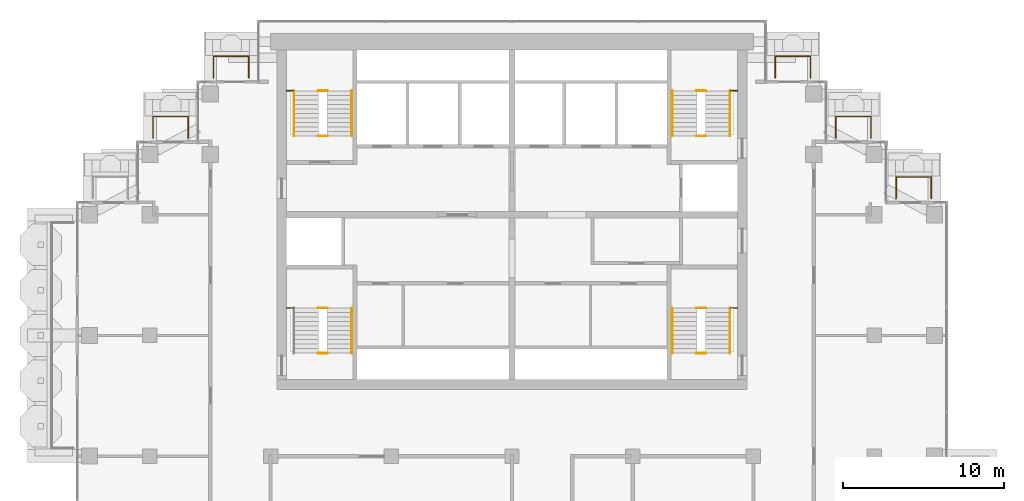
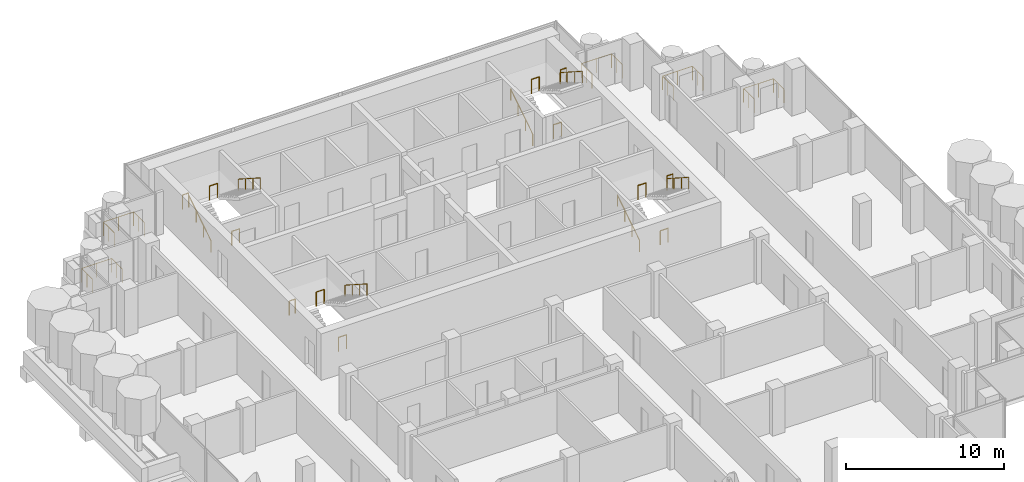
# One storey, part 17 of 18: 24 railings.
"""IFC4 building model written with IfcOpenShell, lengths in metres."""

import ifcopenshell
import ifcopenshell.guid

model = None  # the IFC model being written
_history = None  # IfcOwnerHistory: only IFC2X3 demands one
_inside = {}  # id of a spatial element -> (the spatial element, [elements in it])
_under = {}  # id of a project, library or spatial element -> (it, [spatial elements below it])
_declared = {}  # id of a project -> (the project, [libraries it declares])
_typed = {}  # id of a type object -> (the type object, [elements of that type])
_made_of = {}  # id of a material, layer set ... -> (it, [elements and type objects made of it])


def new_model(schema):
    """Start an empty IFC model of exactly this schema.

    Asked for "IFC4X3", IfcOpenShell would pick the latest addendum, in which some entities
    have other attributes; the version numbers below select the first issue.
    IFC2X3 requires an IfcOwnerHistory on every rooted entity: one is made here for all.
    """
    global model, _history
    if schema == "IFC4X3":
        model = ifcopenshell.file(schema_version=(4, 3, 0, 0))
    else:
        model = ifcopenshell.file(schema=schema)
    _inside.clear()
    _under.clear()
    _declared.clear()
    _typed.clear()
    _made_of.clear()
    _history = None
    if model.schema == "IFC2X3":
        org = make("IfcOrganization", Name="unknown")
        user = make(
            "IfcPersonAndOrganization",
            ThePerson=make("IfcPerson", FamilyName="unknown"),
            TheOrganization=org,
        )
        app = make(
            "IfcApplication",
            ApplicationDeveloper=org,
            Version="unknown",
            ApplicationFullName="unknown",
            ApplicationIdentifier="unknown",
        )
        _history = make(
            "IfcOwnerHistory",
            OwningUser=user,
            OwningApplication=app,
            ChangeAction="ADDED",
            CreationDate=0,
        )
    return model


def make(cls, **values):
    """One entity of the class cls with the attributes given. An attribute that is None is left unset."""
    return model.create_entity(
        cls, **{name: value for name, value in values.items() if value is not None}
    )


def rooted(cls, **values):
    """An entity with a GlobalId (a new one), such as an element, a storey or a relation."""
    return make(cls, GlobalId=ifcopenshell.guid.new(), OwnerHistory=_history, **values)


def si_unit(unit_type, name, prefix=None):
    """IfcSIUnit, for example si_unit("LENGTHUNIT", "METRE", prefix="MILLI")."""
    return make("IfcSIUnit", UnitType=unit_type, Prefix=prefix, Name=name)


def assignment(units):
    """IfcUnitAssignment: the units of a project."""
    return None if units is None else make("IfcUnitAssignment", Units=units)


def point(xyz):
    """IfcCartesianPoint."""
    return None if xyz is None else make("IfcCartesianPoint", Coordinates=xyz)


def direction(xyz):
    """IfcDirection."""
    return None if xyz is None else make("IfcDirection", DirectionRatios=xyz)


def frame(location, z_axis=None, x_axis=None):
    """IfcAxis2Placement3D, a coordinate frame: its origin and axes. An axis left out is left unset."""
    return make(
        "IfcAxis2Placement3D",
        Location=point(location),
        Axis=direction(z_axis),
        RefDirection=direction(x_axis),
    )


def frame_2d(location, x_axis=None):
    """IfcAxis2Placement2D, a coordinate frame in the plane: its origin and x axis."""
    return make(
        "IfcAxis2Placement2D", Location=point(location), RefDirection=direction(x_axis)
    )


def origin():
    """The frame at (0, 0, 0) with its axes left unset."""
    return frame((0.0, 0.0, 0.0))


def origin_2d():
    """The frame at (0, 0) in the plane with its x axis left unset."""
    return frame_2d((0.0, 0.0))


def place(relative_to, where):
    """IfcLocalPlacement: puts the frame where relative to a parent placement (None: the world)."""
    return make(
        "IfcLocalPlacement", PlacementRelTo=relative_to, RelativePlacement=where
    )


def context(
    kind, dimensions, precision=None, world=None, true_north=None, identifier=None
):
    """IfcGeometricRepresentationContext, for example the 3D "Model" context."""
    return make(
        "IfcGeometricRepresentationContext",
        ContextIdentifier=identifier,
        ContextType=kind,
        CoordinateSpaceDimension=dimensions,
        Precision=precision,
        WorldCoordinateSystem=world,
        TrueNorth=true_north,
    )


def subcontext(parent, identifier, kind, view, scale=None):
    """IfcGeometricRepresentationSubContext, for example "Body" below "Model"."""
    return make(
        "IfcGeometricRepresentationSubContext",
        ContextIdentifier=identifier,
        ContextType=kind,
        ParentContext=parent,
        TargetScale=scale,
        TargetView=view,
    )


def project(units=None, contexts=None):
    """IfcProject with its units and contexts."""
    return rooted(
        "IfcProject",
        Name="project",
        RepresentationContexts=contexts,
        UnitsInContext=assignment(units),
    )


def spatial(cls, under=None, at=None, **own):
    """A site, building, storey or space (cls), placed at a placement, below another one or the project."""
    s = rooted(cls, ObjectPlacement=at, **own)
    if under is not None:
        _under.setdefault(under.id(), (under, []))[1].append(s)
    return s


def profile(cls, at=None, kind="AREA", **sizes):
    """A parametric profile (cls). Its sizes go by their IFC names, for example OverallWidth=200.0."""
    return make(cls, ProfileType=kind, Position=at, **sizes)


def circle(**sizes):
    """IfcCircleProfileDef."""
    return profile("IfcCircleProfileDef", **sizes)


def extrude(swept, where, along, depth):
    """IfcExtrudedAreaSolid: the profile swept, set in the frame where, extruded along a direction by depth."""
    return make(
        "IfcExtrudedAreaSolid",
        SweptArea=swept,
        Position=where,
        ExtrudedDirection=direction(along),
        Depth=depth,
    )


def shape(context_of_items, identifier, shape_type, items):
    """IfcShapeRepresentation: the items that make up one representation, for example the "Body"."""
    return make(
        "IfcShapeRepresentation",
        ContextOfItems=context_of_items,
        RepresentationIdentifier=identifier,
        RepresentationType=shape_type,
        Items=items,
    )


def material(Name=None, Category=None):
    """IfcMaterial."""
    return make("IfcMaterial", Name=Name, Category=Category)


def made_of(thing, what):
    """Note that an element or type object is made of a material, layer set ...; save() writes the relation."""
    if what is not None:
        _made_of.setdefault(what.id(), (what, []))[1].append(thing)
    return thing


def type_object(cls, material=None, **own):
    """A type object (cls), such as IfcWallType, which elements share."""
    return made_of(rooted(cls, **own), material)


def element(
    cls,
    number,
    at=None,
    inside=None,
    cuts=None,
    type_object=None,
    material=None,
    context=None,
    identifier="Body",
    shape_type=None,
    held_by="IfcProductDefinitionShape",
    body=None,
    shapes=None,
    **own,
):
    """One element of the class cls, such as IfcWall. Its Tag is "e" and its number.

    at: its placement. inside: the storey or other place that contains it. cuts: it is an
    opening in that element (IfcRelVoidsElement). A single representation is given by context,
    identifier, shape_type and body (its items); several are given by shapes. held_by: the class
    of the entity that holds the representations. save() writes the other relations.
    """
    e = rooted(cls, Tag="e%d" % number, ObjectPlacement=at, **own)
    if body is not None:
        shapes = [shape(context, identifier, shape_type, body)]
    if shapes is not None:
        e.Representation = make(held_by, Representations=shapes)
    if inside is not None:
        _inside.setdefault(inside.id(), (inside, []))[1].append(e)
    if cuts is not None:
        rooted(
            "IfcRelVoidsElement", RelatingBuildingElement=cuts, RelatedOpeningElement=e
        )
    if type_object is not None:
        _typed.setdefault(type_object.id(), (type_object, []))[1].append(e)
    return made_of(e, material)


def aggregate(whole, parts):
    """IfcRelAggregates: a whole, such as a stair, and the parts it consists of."""
    return rooted("IfcRelAggregates", RelatingObject=whole, RelatedObjects=parts)


def save(model, path):
    """Write the relations noted so far, then the file.

    IfcRelAggregates (storeys below a building ...), IfcRelContainedInSpatialStructure (elements
    in a storey), IfcRelDefinesByType, IfcRelAssociatesMaterial and IfcRelDeclares: one each for
    every whole, place, type object, material and project.
    """
    for whole, parts in _under.values():
        aggregate(whole, parts)
    for where, things in _inside.values():
        rooted(
            "IfcRelContainedInSpatialStructure",
            RelatedElements=things,
            RelatingStructure=where,
        )
    for kind, things in _typed.values():
        rooted("IfcRelDefinesByType", RelatedObjects=things, RelatingType=kind)
    for what, things in _made_of.values():
        rooted("IfcRelAssociatesMaterial", RelatedObjects=things, RelatingMaterial=what)
    for by, libraries in _declared.values():
        rooted("IfcRelDeclares", RelatingContext=by, RelatedDefinitions=libraries)
    model.write(path)


model = new_model("IFC4")

# Units and contexts
model_context = context("Model", 3, precision=1e-05, world=origin(), true_north=direction((0.0, 1.0)))
body_context = subcontext(model_context, "Body", "Model", "MODEL_VIEW")
ifc_project = project(units=[si_unit("LENGTHUNIT", "METRE"), si_unit("AREAUNIT", "SQUARE_METRE"), si_unit("VOLUMEUNIT", "CUBIC_METRE"), si_unit("PLANEANGLEUNIT", "RADIAN"), si_unit("MASSUNIT", "GRAM", prefix="KILO")], contexts=[model_context])

# Site, building, storey
site_placement = place(None, origin())
site = spatial("IfcSite", under=ifc_project, at=site_placement, CompositionType="ELEMENT")
building_placement = place(site_placement, origin())
building = spatial("IfcBuilding", under=site, at=building_placement, Name="Pilkhan Gate Tower", CompositionType="ELEMENT")
storey_placement = place(building_placement, frame((0.0, 0.0, 199.5)))
storey = spatial("IfcBuildingStorey", under=building, at=storey_placement, Name="L51", CompositionType="ELEMENT", Elevation=199.5)

# Railings
ifc_material_1 = material(Name="Pale anodised aluminium posts, laminated glass infill", Category="aluminium")
railing_type_1 = type_object("IfcRailingType", Name="Balcony guard G1", PredefinedType="BALUSTRADE", material=ifc_material_1)
for number, where, name in (
    (1, (56.449951171875, 91.0, 0.0), "Balcony guard L51 N"),
    (2, (91.35009765625, 91.0, 0.0), "Balcony guard L51 N"),
):
    element("IfcRailing", number, at=place(storey_placement, frame(where)), inside=storey, type_object=railing_type_1, Name=name, PredefinedType="BALUSTRADE", context=body_context, shape_type="SweptSolid", body=[
        extrude(circle(Radius=0.02392578125, at=origin_2d()), frame((0.0, 0.0, 1.076171875), z_axis=(0.0, 1.0, 0.0), x_axis=(-1.0, 0.0, 0.0)), (0.0, 0.0, 1.0), 1.35009765625),
        extrude(circle(Radius=0.02392578125, at=origin_2d()), frame((0.0, 1.35009765625, 1.076171875), z_axis=(1.0, 0.0, 0.0), x_axis=(0.0, 1.0, 0.0)), (0.0, 0.0, 1.0), 2.199951171875),
        extrude(circle(Radius=0.02392578125, at=origin_2d()), frame((2.199951171875, 1.35009765625, 1.076171875), z_axis=(0.0, -1.0, 0.0), x_axis=(1.0, 0.0, 0.0)), (0.0, 0.0, 1.0), 1.35009765625),
        extrude(circle(Radius=0.02099609375, at=origin_2d()), origin(), (0.0, 0.0, 1.0), 1.052001953125),
        extrude(circle(Radius=0.02099609375, at=origin_2d()), frame((0.0, 0.675048828125, 0.0)), (0.0, 0.0, 1.0), 1.052001953125),
        extrude(circle(Radius=0.02099609375, at=origin_2d()), frame((0.0, 1.35009765625, 0.0)), (0.0, 0.0, 1.0), 1.052001953125),
        extrude(circle(Radius=0.02099609375, at=origin_2d()), frame((1.10009765625, 1.35009765625, 0.0)), (0.0, 0.0, 1.0), 1.052001953125),
        extrude(circle(Radius=0.02099609375, at=origin_2d()), frame((2.199951171875, 1.35009765625, 0.0)), (0.0, 0.0, 1.0), 1.052001953125),
        extrude(circle(Radius=0.02099609375, at=origin_2d()), frame((2.199951171875, 0.675048828125, 0.0)), (0.0, 0.0, 1.0), 1.052001953125),
        extrude(circle(Radius=0.02099609375, at=origin_2d()), frame((2.199951171875, 0.0, 0.0)), (0.0, 0.0, 1.0), 1.052001953125),
    ])
for number, where, name in (
    (3, (52.699951171875, 87.27001953125, 0.0), "Balcony guard L51 N"),
    (4, (95.1201171875, 87.27001953125, 0.0), "Balcony guard L51 N"),
    (5, (98.8701171875, 83.52001953125, 0.0), "Balcony guard L51 N"),
):
    element("IfcRailing", number, at=place(storey_placement, frame(where)), inside=storey, type_object=railing_type_1, Name=name, PredefinedType="BALUSTRADE", context=body_context, shape_type="SweptSolid", body=[
        extrude(circle(Radius=0.02392578125, at=origin_2d()), frame((0.0, 0.0, 1.076171875), z_axis=(0.0, 1.0, 0.0), x_axis=(-1.0, 0.0, 0.0)), (0.0, 0.0, 1.0), 1.330078125),
        extrude(circle(Radius=0.02392578125, at=origin_2d()), frame((0.0, 1.330078125, 1.076171875), z_axis=(1.0, 0.0, 0.0), x_axis=(0.0, 1.0, 0.0)), (0.0, 0.0, 1.0), 2.179931640625),
        extrude(circle(Radius=0.02392578125, at=origin_2d()), frame((2.179931640625, 1.330078125, 1.076171875), z_axis=(0.0, -1.0, 0.0), x_axis=(1.0, 0.0, 0.0)), (0.0, 0.0, 1.0), 1.330078125),
        extrude(circle(Radius=0.02099609375, at=origin_2d()), origin(), (0.0, 0.0, 1.0), 1.052001953125),
        extrude(circle(Radius=0.02099609375, at=origin_2d()), frame((0.0, 0.6650390625, 0.0)), (0.0, 0.0, 1.0), 1.052001953125),
        extrude(circle(Radius=0.02099609375, at=origin_2d()), frame((0.0, 1.330078125, 0.0)), (0.0, 0.0, 1.0), 1.052001953125),
        extrude(circle(Radius=0.02099609375, at=origin_2d()), frame((1.08984375, 1.330078125, 0.0)), (0.0, 0.0, 1.0), 1.052001953125),
        extrude(circle(Radius=0.02099609375, at=origin_2d()), frame((2.179931640625, 1.330078125, 0.0)), (0.0, 0.0, 1.0), 1.052001953125),
        extrude(circle(Radius=0.02099609375, at=origin_2d()), frame((2.179931640625, 0.6650390625, 0.0)), (0.0, 0.0, 1.0), 1.052001953125),
        extrude(circle(Radius=0.02099609375, at=origin_2d()), frame((2.179931640625, 0.0, 0.0)), (0.0, 0.0, 1.0), 1.052001953125),
    ])
ifc_material_2 = material(Name="Black powder-coated steel tube", Category="steel")
railing_type_2 = type_object("IfcRailingType", Name="Stair handrail HR1", PredefinedType="HANDRAIL", material=ifc_material_2)
railing_1_placement = place(storey_placement, frame((84.949951171875, 73.89990234375, 0.0)))
element("IfcRailing", 6, at=railing_1_placement, inside=storey, type_object=railing_type_2, Name="Stair ST1 handrail L51", PredefinedType="HANDRAIL", context=body_context, shape_type="SweptSolid", body=[
    extrude(circle(Radius=0.02392578125, at=origin_2d()), frame((0.0, 0.0, 0.8759765625), z_axis=(0.0, 0.841176092368, 0.540761298198), x_axis=(-1.0, 0.0, 0.0)), (0.0, 0.0, 1.0), 3.32861328125),
    extrude(circle(Radius=0.02099609375, at=origin_2d()), origin(), (0.0, 0.0, 1.0), 0.851806640625),
    extrude(circle(Radius=0.02099609375, at=origin_2d()), frame((0.0, 0.933349609375, 0.60009765625)), (0.0, 0.0, 1.0), 0.851806640625),
    extrude(circle(Radius=0.02099609375, at=origin_2d()), frame((0.0, 1.86669921875, 1.199951171875)), (0.0, 0.0, 1.0), 0.851806640625),
    extrude(circle(Radius=0.02099609375, at=origin_2d()), frame((0.0, 2.800048828125, 1.800048828125)), (0.0, 0.0, 1.0), 0.851806640625),
])
for number, where, name in (
    (7, (88.550048828125, 76.699951171875, 1.800048828125), "Stair ST1 handrail L51"),
    (8, (65.050048828125, 76.699951171875, 1.800048828125), "Stair ST2 handrail L51"),
):
    element("IfcRailing", number, at=place(storey_placement, frame(where)), inside=storey, type_object=railing_type_2, Name=name, PredefinedType="HANDRAIL", context=body_context, shape_type="SweptSolid", body=[
        extrude(circle(Radius=0.02392578125, at=origin_2d()), frame((0.0, 0.0, 0.8759765625), z_axis=(0.0, -0.841176092368, 0.540761298198), x_axis=(1.0, 0.0, 0.0)), (0.0, 0.0, 1.0), 3.32861328125),
        extrude(circle(Radius=0.02099609375, at=origin_2d()), origin(), (0.0, 0.0, 1.0), 0.851806640625),
        extrude(circle(Radius=0.02099609375, at=origin_2d()), frame((0.0, -0.933349609375, 0.60009765625)), (0.0, 0.0, 1.0), 0.851806640625),
        extrude(circle(Radius=0.02099609375, at=origin_2d()), frame((0.0, -1.86669921875, 1.199951171875)), (0.0, 0.0, 1.0), 0.851806640625),
        extrude(circle(Radius=0.02099609375, at=origin_2d()), frame((0.0, -2.800048828125, 1.800048828125)), (0.0, 0.0, 1.0), 0.851806640625),
    ])
railing_2_placement = place(storey_placement, frame((61.449951171875, 87.39990234375, 0.0)))
element("IfcRailing", 9, at=railing_2_placement, inside=storey, type_object=railing_type_2, Name="Stair ST3 handrail L51", PredefinedType="HANDRAIL", context=body_context, shape_type="SweptSolid", body=[
    extrude(circle(Radius=0.02392578125, at=origin_2d()), frame((0.0, 0.0, 0.8759765625), z_axis=(0.0, 0.841176092368, 0.540761298198), x_axis=(-1.0, 0.0, 0.0)), (0.0, 0.0, 1.0), 3.32861328125),
    extrude(circle(Radius=0.02099609375, at=origin_2d()), origin(), (0.0, 0.0, 1.0), 0.851806640625),
    extrude(circle(Radius=0.02099609375, at=origin_2d()), frame((0.0, 0.933349609375, 0.60009765625)), (0.0, 0.0, 1.0), 0.851806640625),
    extrude(circle(Radius=0.02099609375, at=origin_2d()), frame((0.0, 1.86669921875, 1.199951171875)), (0.0, 0.0, 1.0), 0.851806640625),
    extrude(circle(Radius=0.02099609375, at=origin_2d()), frame((0.0, 2.800048828125, 1.800048828125)), (0.0, 0.0, 1.0), 0.851806640625),
])
railing_3_placement = place(storey_placement, frame((65.050048828125, 90.199951171875, 1.800048828125)))
element("IfcRailing", 10, at=railing_3_placement, inside=storey, type_object=railing_type_2, Name="Stair ST3 handrail L51", PredefinedType="HANDRAIL", context=body_context, shape_type="SweptSolid", body=[
    extrude(circle(Radius=0.02392578125, at=origin_2d()), frame((0.0, 0.0, 0.8759765625), z_axis=(0.0, -0.841176092368, 0.540761298198), x_axis=(1.0, 0.0, 0.0)), (0.0, 0.0, 1.0), 3.32861328125),
    extrude(circle(Radius=0.02099609375, at=origin_2d()), origin(), (0.0, 0.0, 1.0), 0.851806640625),
    extrude(circle(Radius=0.02099609375, at=origin_2d()), frame((0.0, -0.933349609375, 0.60009765625)), (0.0, 0.0, 1.0), 0.851806640625),
    extrude(circle(Radius=0.02099609375, at=origin_2d()), frame((0.0, -1.86669921875, 1.199951171875)), (0.0, 0.0, 1.0), 0.851806640625),
    extrude(circle(Radius=0.02099609375, at=origin_2d()), frame((0.0, -2.800048828125, 1.800048828125)), (0.0, 0.0, 1.0), 0.851806640625),
])
railing_4_placement = place(storey_placement, frame((84.949951171875, 87.39990234375, 0.0)))
element("IfcRailing", 11, at=railing_4_placement, inside=storey, type_object=railing_type_2, Name="Stair ST4 handrail L51", PredefinedType="HANDRAIL", context=body_context, shape_type="SweptSolid", body=[
    extrude(circle(Radius=0.02392578125, at=origin_2d()), frame((0.0, 0.0, 0.8759765625), z_axis=(0.0, 0.841176092368, 0.540761298198), x_axis=(-1.0, 0.0, 0.0)), (0.0, 0.0, 1.0), 3.32861328125),
    extrude(circle(Radius=0.02099609375, at=origin_2d()), origin(), (0.0, 0.0, 1.0), 0.851806640625),
    extrude(circle(Radius=0.02099609375, at=origin_2d()), frame((0.0, 0.933349609375, 0.60009765625)), (0.0, 0.0, 1.0), 0.851806640625),
    extrude(circle(Radius=0.02099609375, at=origin_2d()), frame((0.0, 1.86669921875, 1.199951171875)), (0.0, 0.0, 1.0), 0.851806640625),
    extrude(circle(Radius=0.02099609375, at=origin_2d()), frame((0.0, 2.800048828125, 1.800048828125)), (0.0, 0.0, 1.0), 0.851806640625),
])
railing_5_placement = place(storey_placement, frame((88.550048828125, 90.199951171875, 1.800048828125)))
element("IfcRailing", 12, at=railing_5_placement, inside=storey, type_object=railing_type_2, Name="Stair ST4 handrail L51", PredefinedType="HANDRAIL", context=body_context, shape_type="SweptSolid", body=[
    extrude(circle(Radius=0.02392578125, at=origin_2d()), frame((0.0, 0.0, 0.8759765625), z_axis=(0.0, -0.841176092368, 0.540761298198), x_axis=(1.0, 0.0, 0.0)), (0.0, 0.0, 1.0), 3.32861328125),
    extrude(circle(Radius=0.02099609375, at=origin_2d()), origin(), (0.0, 0.0, 1.0), 0.851806640625),
    extrude(circle(Radius=0.02099609375, at=origin_2d()), frame((0.0, -0.933349609375, 0.60009765625)), (0.0, 0.0, 1.0), 0.851806640625),
    extrude(circle(Radius=0.02099609375, at=origin_2d()), frame((0.0, -1.86669921875, 1.199951171875)), (0.0, 0.0, 1.0), 0.851806640625),
    extrude(circle(Radius=0.02099609375, at=origin_2d()), frame((0.0, -2.800048828125, 1.800048828125)), (0.0, 0.0, 1.0), 0.851806640625),
])
ifc_material_3 = material(Name="Black powder-coated steel balusters", Category="steel")
railing_type_3 = type_object("IfcRailingType", Name="Stair well guard G3", PredefinedType="GUARDRAIL", material=ifc_material_3)
railing_6_placement = place(storey_placement, frame((88.580078125, 76.699951171875, 1.800048828125)))
element("IfcRailing", 13, at=railing_6_placement, inside=storey, type_object=railing_type_3, Name="Stair ST1 well guard L51", PredefinedType="GUARDRAIL", context=body_context, shape_type="SweptSolid", body=[
    extrude(circle(Radius=0.02392578125, at=origin_2d()), frame((0.0, 0.0, 1.076171875), z_axis=(1.0, 0.0, 0.0), x_axis=(0.0, 1.0, 0.0)), (0.0, 0.0, 1.0), 0.43994140625),
    extrude(circle(Radius=0.02099609375, at=origin_2d()), origin(), (0.0, 0.0, 1.0), 1.052001953125),
    extrude(circle(Radius=0.02099609375, at=origin_2d()), frame((0.43994140625, 0.0, 0.0)), (0.0, 0.0, 1.0), 1.052001953125),
])
for number, where, name in (
    (14, (86.4599609375, 73.89990234375, 0.0), "Stair ST1 well guard L51"),
    (15, (86.4599609375, 76.699951171875, 1.800048828125), "Stair ST1 well guard L51"),
):
    element("IfcRailing", number, at=place(storey_placement, frame(where)), inside=storey, type_object=railing_type_3, Name=name, PredefinedType="GUARDRAIL", context=body_context, shape_type="SweptSolid", body=[
        extrude(circle(Radius=0.02392578125, at=origin_2d()), frame((0.0, 0.0, 1.076171875), z_axis=(1.0, 0.0, 0.0), x_axis=(0.0, 1.0, 0.0)), (0.0, 0.0, 1.0), 0.580078125),
        extrude(circle(Radius=0.02099609375, at=origin_2d()), origin(), (0.0, 0.0, 1.0), 1.052001953125),
        extrude(circle(Radius=0.02099609375, at=origin_2d()), frame((0.580078125, 0.0, 0.0)), (0.0, 0.0, 1.0), 1.052001953125),
    ])
railing_7_placement = place(storey_placement, frame((60.97998046875, 76.699951171875, 1.800048828125)))
element("IfcRailing", 16, at=railing_7_placement, inside=storey, type_object=railing_type_3, Name="Stair ST2 well guard L51", PredefinedType="GUARDRAIL", context=body_context, shape_type="SweptSolid", body=[
    extrude(circle(Radius=0.02392578125, at=origin_2d()), frame((0.0, 0.0, 1.076171875), z_axis=(1.0, 0.0, 0.0), x_axis=(0.0, 1.0, 0.0)), (0.0, 0.0, 1.0), 0.43994140625),
    extrude(circle(Radius=0.02099609375, at=origin_2d()), origin(), (0.0, 0.0, 1.0), 1.052001953125),
    extrude(circle(Radius=0.02099609375, at=origin_2d()), frame((0.43994140625, 0.0, 0.0)), (0.0, 0.0, 1.0), 1.052001953125),
])
for number, where, name in (
    (17, (62.9599609375, 73.89990234375, 0.0), "Stair ST2 well guard L51"),
    (18, (62.9599609375, 76.699951171875, 1.800048828125), "Stair ST2 well guard L51"),
):
    element("IfcRailing", number, at=place(storey_placement, frame(where)), inside=storey, type_object=railing_type_3, Name=name, PredefinedType="GUARDRAIL", context=body_context, shape_type="SweptSolid", body=[
        extrude(circle(Radius=0.02392578125, at=origin_2d()), frame((0.0, 0.0, 1.076171875), z_axis=(1.0, 0.0, 0.0), x_axis=(0.0, 1.0, 0.0)), (0.0, 0.0, 1.0), 0.580078125),
        extrude(circle(Radius=0.02099609375, at=origin_2d()), origin(), (0.0, 0.0, 1.0), 1.052001953125),
        extrude(circle(Radius=0.02099609375, at=origin_2d()), frame((0.580078125, 0.0, 0.0)), (0.0, 0.0, 1.0), 1.052001953125),
    ])
railing_8_placement = place(storey_placement, frame((60.97998046875, 90.199951171875, 1.800048828125)))
element("IfcRailing", 19, at=railing_8_placement, inside=storey, type_object=railing_type_3, Name="Stair ST3 well guard L51", PredefinedType="GUARDRAIL", context=body_context, shape_type="SweptSolid", body=[
    extrude(circle(Radius=0.02392578125, at=origin_2d()), frame((0.0, 0.0, 1.076171875), z_axis=(1.0, 0.0, 0.0), x_axis=(0.0, 1.0, 0.0)), (0.0, 0.0, 1.0), 0.43994140625),
    extrude(circle(Radius=0.02099609375, at=origin_2d()), origin(), (0.0, 0.0, 1.0), 1.052001953125),
    extrude(circle(Radius=0.02099609375, at=origin_2d()), frame((0.43994140625, 0.0, 0.0)), (0.0, 0.0, 1.0), 1.052001953125),
])
for number, where, name in (
    (20, (62.9599609375, 87.39990234375, 0.0), "Stair ST3 well guard L51"),
    (21, (62.9599609375, 90.199951171875, 1.800048828125), "Stair ST3 well guard L51"),
):
    element("IfcRailing", number, at=place(storey_placement, frame(where)), inside=storey, type_object=railing_type_3, Name=name, PredefinedType="GUARDRAIL", context=body_context, shape_type="SweptSolid", body=[
        extrude(circle(Radius=0.02392578125, at=origin_2d()), frame((0.0, 0.0, 1.076171875), z_axis=(1.0, 0.0, 0.0), x_axis=(0.0, 1.0, 0.0)), (0.0, 0.0, 1.0), 0.580078125),
        extrude(circle(Radius=0.02099609375, at=origin_2d()), origin(), (0.0, 0.0, 1.0), 1.052001953125),
        extrude(circle(Radius=0.02099609375, at=origin_2d()), frame((0.580078125, 0.0, 0.0)), (0.0, 0.0, 1.0), 1.052001953125),
    ])
railing_9_placement = place(storey_placement, frame((88.580078125, 90.199951171875, 1.800048828125)))
element("IfcRailing", 22, at=railing_9_placement, inside=storey, type_object=railing_type_3, Name="Stair ST4 well guard L51", PredefinedType="GUARDRAIL", context=body_context, shape_type="SweptSolid", body=[
    extrude(circle(Radius=0.02392578125, at=origin_2d()), frame((0.0, 0.0, 1.076171875), z_axis=(1.0, 0.0, 0.0), x_axis=(0.0, 1.0, 0.0)), (0.0, 0.0, 1.0), 0.43994140625),
    extrude(circle(Radius=0.02099609375, at=origin_2d()), origin(), (0.0, 0.0, 1.0), 1.052001953125),
    extrude(circle(Radius=0.02099609375, at=origin_2d()), frame((0.43994140625, 0.0, 0.0)), (0.0, 0.0, 1.0), 1.052001953125),
])
for number, where, name in (
    (23, (86.4599609375, 87.39990234375, 0.0), "Stair ST4 well guard L51"),
    (24, (86.4599609375, 90.199951171875, 1.800048828125), "Stair ST4 well guard L51"),
):
    element("IfcRailing", number, at=place(storey_placement, frame(where)), inside=storey, type_object=railing_type_3, Name=name, PredefinedType="GUARDRAIL", context=body_context, shape_type="SweptSolid", body=[
        extrude(circle(Radius=0.02392578125, at=origin_2d()), frame((0.0, 0.0, 1.076171875), z_axis=(1.0, 0.0, 0.0), x_axis=(0.0, 1.0, 0.0)), (0.0, 0.0, 1.0), 0.580078125),
        extrude(circle(Radius=0.02099609375, at=origin_2d()), origin(), (0.0, 0.0, 1.0), 1.052001953125),
        extrude(circle(Radius=0.02099609375, at=origin_2d()), frame((0.580078125, 0.0, 0.0)), (0.0, 0.0, 1.0), 1.052001953125),
    ])

save(model, "model.ifc")
